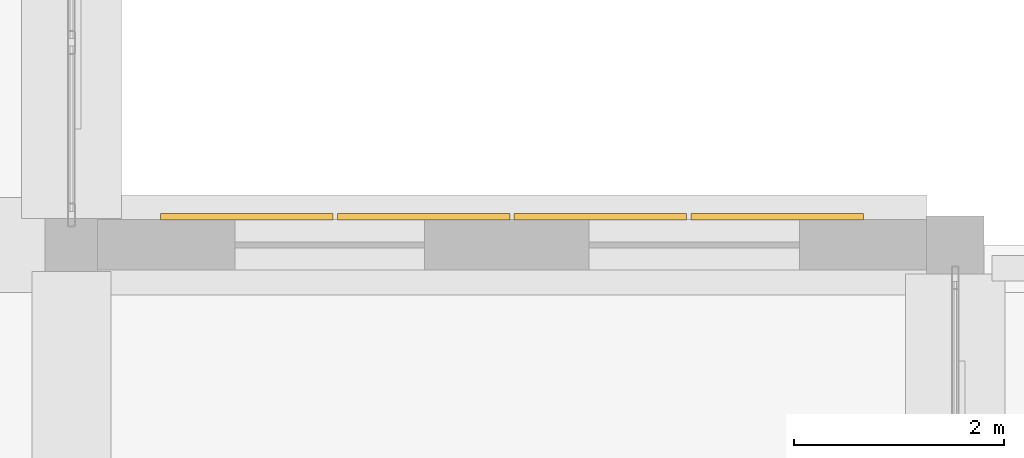
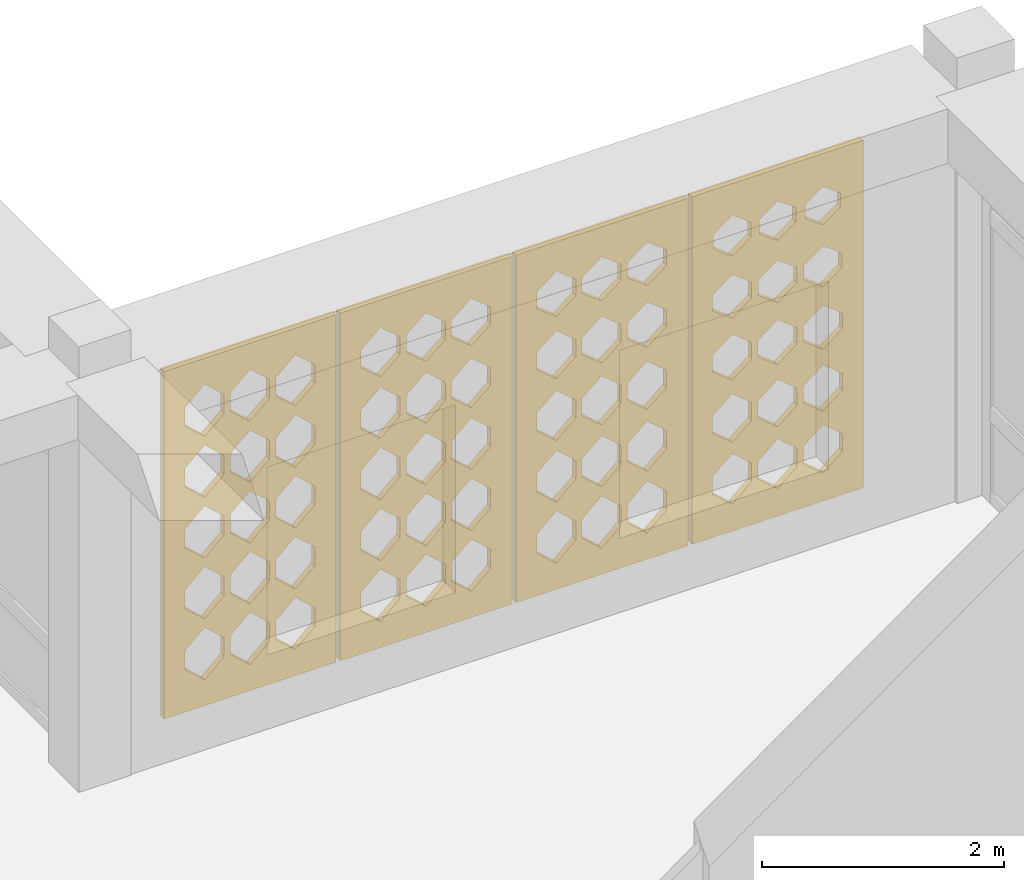
# One storey, part 110 of 111: 4 coverings.
"""IFC4 building model written with IfcOpenShell, lengths in metres."""

import ifcopenshell
import ifcopenshell.guid

model = None  # the IFC model being written
_history = None  # IfcOwnerHistory: only IFC2X3 demands one
_inside = {}  # id of a spatial element -> (the spatial element, [elements in it])
_under = {}  # id of a project, library or spatial element -> (it, [spatial elements below it])
_declared = {}  # id of a project -> (the project, [libraries it declares])
_typed = {}  # id of a type object -> (the type object, [elements of that type])
_made_of = {}  # id of a material, layer set ... -> (it, [elements and type objects made of it])


def new_model(schema):
    """Start an empty IFC model of exactly this schema.

    Asked for "IFC4X3", IfcOpenShell would pick the latest addendum, in which some entities
    have other attributes; the version numbers below select the first issue.
    IFC2X3 requires an IfcOwnerHistory on every rooted entity: one is made here for all.
    """
    global model, _history
    if schema == "IFC4X3":
        model = ifcopenshell.file(schema_version=(4, 3, 0, 0))
    else:
        model = ifcopenshell.file(schema=schema)
    _inside.clear()
    _under.clear()
    _declared.clear()
    _typed.clear()
    _made_of.clear()
    _history = None
    if model.schema == "IFC2X3":
        org = make("IfcOrganization", Name="unknown")
        user = make(
            "IfcPersonAndOrganization",
            ThePerson=make("IfcPerson", FamilyName="unknown"),
            TheOrganization=org,
        )
        app = make(
            "IfcApplication",
            ApplicationDeveloper=org,
            Version="unknown",
            ApplicationFullName="unknown",
            ApplicationIdentifier="unknown",
        )
        _history = make(
            "IfcOwnerHistory",
            OwningUser=user,
            OwningApplication=app,
            ChangeAction="ADDED",
            CreationDate=0,
        )
    return model


def make(cls, **values):
    """One entity of the class cls with the attributes given. An attribute that is None is left unset."""
    return model.create_entity(
        cls, **{name: value for name, value in values.items() if value is not None}
    )


def rooted(cls, **values):
    """An entity with a GlobalId (a new one), such as an element, a storey or a relation."""
    return make(cls, GlobalId=ifcopenshell.guid.new(), OwnerHistory=_history, **values)


def si_unit(unit_type, name, prefix=None):
    """IfcSIUnit, for example si_unit("LENGTHUNIT", "METRE", prefix="MILLI")."""
    return make("IfcSIUnit", UnitType=unit_type, Prefix=prefix, Name=name)


def derived_unit(unit_type, elements):
    """IfcDerivedUnit: a product of units, each with its exponent."""
    return make(
        "IfcDerivedUnit",
        Elements=[
            make("IfcDerivedUnitElement", Unit=unit, Exponent=power)
            for unit, power in elements
        ],
        UnitType=unit_type,
    )


def assignment(units):
    """IfcUnitAssignment: the units of a project."""
    return None if units is None else make("IfcUnitAssignment", Units=units)


def point(xyz):
    """IfcCartesianPoint."""
    return None if xyz is None else make("IfcCartesianPoint", Coordinates=xyz)


def direction(xyz):
    """IfcDirection."""
    return None if xyz is None else make("IfcDirection", DirectionRatios=xyz)


def frame(location, z_axis=None, x_axis=None):
    """IfcAxis2Placement3D, a coordinate frame: its origin and axes. An axis left out is left unset."""
    return make(
        "IfcAxis2Placement3D",
        Location=point(location),
        Axis=direction(z_axis),
        RefDirection=direction(x_axis),
    )


def origin():
    """The frame at (0, 0, 0) with its axes left unset."""
    return frame((0.0, 0.0, 0.0))


def place(relative_to, where):
    """IfcLocalPlacement: puts the frame where relative to a parent placement (None: the world)."""
    return make(
        "IfcLocalPlacement", PlacementRelTo=relative_to, RelativePlacement=where
    )


def context(
    kind, dimensions, precision=None, world=None, true_north=None, identifier=None
):
    """IfcGeometricRepresentationContext, for example the 3D "Model" context."""
    return make(
        "IfcGeometricRepresentationContext",
        ContextIdentifier=identifier,
        ContextType=kind,
        CoordinateSpaceDimension=dimensions,
        Precision=precision,
        WorldCoordinateSystem=world,
        TrueNorth=true_north,
    )


def subcontext(parent, identifier, kind, view, scale=None):
    """IfcGeometricRepresentationSubContext, for example "Body" below "Model"."""
    return make(
        "IfcGeometricRepresentationSubContext",
        ContextIdentifier=identifier,
        ContextType=kind,
        ParentContext=parent,
        TargetScale=scale,
        TargetView=view,
    )


def project(units=None, contexts=None):
    """IfcProject with its units and contexts."""
    return rooted(
        "IfcProject",
        Name="project",
        RepresentationContexts=contexts,
        UnitsInContext=assignment(units),
    )


def spatial(cls, under=None, at=None, **own):
    """A site, building, storey or space (cls), placed at a placement, below another one or the project."""
    s = rooted(cls, ObjectPlacement=at, **own)
    if under is not None:
        _under.setdefault(under.id(), (under, []))[1].append(s)
    return s


def polyline(points):
    """IfcPolyline through the points."""
    return make("IfcPolyline", Points=[point(p) for p in points])


def outline(outer, holes=None, kind="AREA"):
    """IfcArbitraryClosedProfileDef: a profile drawn as a closed curve; with holes, ...WithVoids."""
    if holes is None:
        return make("IfcArbitraryClosedProfileDef", ProfileType=kind, OuterCurve=outer)
    return make(
        "IfcArbitraryProfileDefWithVoids",
        ProfileType=kind,
        OuterCurve=outer,
        InnerCurves=holes,
    )


def extrude(swept, where, along, depth):
    """IfcExtrudedAreaSolid: the profile swept, set in the frame where, extruded along a direction by depth."""
    return make(
        "IfcExtrudedAreaSolid",
        SweptArea=swept,
        Position=where,
        ExtrudedDirection=direction(along),
        Depth=depth,
    )


def shape(context_of_items, identifier, shape_type, items):
    """IfcShapeRepresentation: the items that make up one representation, for example the "Body"."""
    return make(
        "IfcShapeRepresentation",
        ContextOfItems=context_of_items,
        RepresentationIdentifier=identifier,
        RepresentationType=shape_type,
        Items=items,
    )


def material(Name=None, Category=None):
    """IfcMaterial."""
    return make("IfcMaterial", Name=Name, Category=Category)


def layer(
    of_material, thickness, ventilated=None, Name=None, Category=None, Priority=None
):
    """IfcMaterialLayer: one layer of a wall or slab, of a material (None: an air gap)."""
    return make(
        "IfcMaterialLayer",
        Material=of_material,
        LayerThickness=thickness,
        IsVentilated=ventilated,
        Name=Name,
        Category=Category,
        Priority=Priority,
    )


def layer_set(layers, Name=None):
    """IfcMaterialLayerSet."""
    return make("IfcMaterialLayerSet", MaterialLayers=layers, LayerSetName=Name)


def made_of(thing, what):
    """Note that an element or type object is made of a material, layer set ...; save() writes the relation."""
    if what is not None:
        _made_of.setdefault(what.id(), (what, []))[1].append(thing)
    return thing


def type_object(cls, material=None, **own):
    """A type object (cls), such as IfcWallType, which elements share."""
    return made_of(rooted(cls, **own), material)


def element(
    cls,
    number,
    at=None,
    inside=None,
    cuts=None,
    type_object=None,
    material=None,
    context=None,
    identifier="Body",
    shape_type=None,
    held_by="IfcProductDefinitionShape",
    body=None,
    shapes=None,
    **own,
):
    """One element of the class cls, such as IfcWall. Its Tag is "e" and its number.

    at: its placement. inside: the storey or other place that contains it. cuts: it is an
    opening in that element (IfcRelVoidsElement). A single representation is given by context,
    identifier, shape_type and body (its items); several are given by shapes. held_by: the class
    of the entity that holds the representations. save() writes the other relations.
    """
    e = rooted(cls, Tag="e%d" % number, ObjectPlacement=at, **own)
    if body is not None:
        shapes = [shape(context, identifier, shape_type, body)]
    if shapes is not None:
        e.Representation = make(held_by, Representations=shapes)
    if inside is not None:
        _inside.setdefault(inside.id(), (inside, []))[1].append(e)
    if cuts is not None:
        rooted(
            "IfcRelVoidsElement", RelatingBuildingElement=cuts, RelatedOpeningElement=e
        )
    if type_object is not None:
        _typed.setdefault(type_object.id(), (type_object, []))[1].append(e)
    return made_of(e, material)


def aggregate(whole, parts):
    """IfcRelAggregates: a whole, such as a stair, and the parts it consists of."""
    return rooted("IfcRelAggregates", RelatingObject=whole, RelatedObjects=parts)


def save(model, path):
    """Write the relations noted so far, then the file.

    IfcRelAggregates (storeys below a building ...), IfcRelContainedInSpatialStructure (elements
    in a storey), IfcRelDefinesByType, IfcRelAssociatesMaterial and IfcRelDeclares: one each for
    every whole, place, type object, material and project.
    """
    for whole, parts in _under.values():
        aggregate(whole, parts)
    for where, things in _inside.values():
        rooted(
            "IfcRelContainedInSpatialStructure",
            RelatedElements=things,
            RelatingStructure=where,
        )
    for kind, things in _typed.values():
        rooted("IfcRelDefinesByType", RelatedObjects=things, RelatingType=kind)
    for what, things in _made_of.values():
        rooted("IfcRelAssociatesMaterial", RelatedObjects=things, RelatingMaterial=what)
    for by, libraries in _declared.values():
        rooted("IfcRelDeclares", RelatingContext=by, RelatedDefinitions=libraries)
    model.write(path)


model = new_model("IFC4")

# Units and contexts
model_context = context("Model", 3, precision=1e-05, world=origin(), true_north=direction((0.0, 1.0)))
body_context = subcontext(model_context, "Body", "Model", "MODEL_VIEW")
ifc_project = project(units=[si_unit("LENGTHUNIT", "METRE"), si_unit("AREAUNIT", "SQUARE_METRE"), si_unit("VOLUMEUNIT", "CUBIC_METRE"), si_unit("PLANEANGLEUNIT", "RADIAN"), si_unit("MASSUNIT", "GRAM", prefix="KILO"), derived_unit("THERMALTRANSMITTANCEUNIT", [(si_unit("POWERUNIT", "WATT"), 1), (si_unit("LENGTHUNIT", "METRE"), -2), (si_unit("THERMODYNAMICTEMPERATUREUNIT", "KELVIN"), -1)])], contexts=[model_context])

# Site, building, storey
site_placement = place(None, origin())
site = spatial("IfcSite", under=ifc_project, at=site_placement, CompositionType="ELEMENT")
building_placement = place(site_placement, origin())
building = spatial("IfcBuilding", under=site, at=building_placement, Name="Veybourne Emporium", CompositionType="ELEMENT")
storey_placement = place(building_placement, frame((0.0, 0.0, 9.89990234375)))
storey = spatial("IfcBuildingStorey", under=building, at=storey_placement, Name="L02", CompositionType="ELEMENT", Elevation=9.89990234375)

# Coverings
ifc_material = material(Name="Warm-White Perforated Aluminium Screen Alloy", Category="aluminium")
ifc_layer_1 = layer(ifc_material, 0.06005859375)
ifc_layer_set_1 = layer_set([ifc_layer_1], Name="Warm-White Perforated Aluminium Screen Alloy")
covering_type_1 = type_object("IfcCoveringType", Name="WaveScreen_SCR-01", PredefinedType="CLADDING", material=ifc_layer_set_1)
covering_1_placement = place(storey_placement, frame((146.1474609375, 21.89794921875, 1.815185546875), z_axis=(0.0, -1.0, 0.0), x_axis=(1.0, 0.0, 0.0)))
element("IfcCovering", 1, at=covering_1_placement, inside=storey, type_object=covering_type_1, Name="L02 wave-perforated aluminium screen SCR-01 (76.2)", PredefinedType="CLADDING", context=body_context, shape_type="SweptSolid", body=[
    extrude(outline(polyline([(-0.81982421875, -1.7548828125), (0.81982421875, -1.7548828125), (0.81982421875, 1.7548828125), (-0.81982421875, 1.7548828125), (-0.81982421875, -1.7548828125)]), holes=[polyline([(-0.433349609375, -0.964111328125), (-0.2470703125, -1.133056640625), (-0.2470703125, -1.322998046875), (-0.433349609375, -1.491943359375), (-0.61962890625, -1.322998046875), (-0.61962890625, -1.133056640625), (-0.433349609375, -0.964111328125)]), polyline([(-0.433349609375, -0.35009765625), (-0.2470703125, -0.51904296875), (-0.2470703125, -0.708984375), (-0.433349609375, -0.8779296875), (-0.61962890625, -0.708984375), (-0.61962890625, -0.51904296875), (-0.433349609375, -0.35009765625)]), polyline([(-0.433349609375, 0.263916015625), (-0.2470703125, 0.094970703125), (-0.2470703125, -0.094970703125), (-0.433349609375, -0.263916015625), (-0.61962890625, -0.094970703125), (-0.61962890625, 0.094970703125), (-0.433349609375, 0.263916015625)]), polyline([(-0.433349609375, 0.873291015625), (-0.2470703125, 0.707275390625), (-0.2470703125, 0.520751953125), (-0.433349609375, 0.354736328125), (-0.61962890625, 0.520751953125), (-0.61962890625, 0.707275390625), (-0.433349609375, 0.873291015625)]), polyline([(-0.433349609375, 1.477783203125), (-0.2470703125, 1.31787109375), (-0.2470703125, 1.13818359375), (-0.433349609375, 0.97802734375), (-0.61962890625, 1.13818359375), (-0.61962890625, 1.31787109375), (-0.433349609375, 1.477783203125)]), polyline([(0.0, -0.964111328125), (0.186279296875, -1.133056640625), (0.186279296875, -1.322998046875), (0.0, -1.491943359375), (-0.186279296875, -1.322998046875), (-0.186279296875, -1.133056640625), (0.0, -0.964111328125)]), polyline([(0.0, -0.35009765625), (0.186279296875, -0.51904296875), (0.186279296875, -0.708984375), (0.0, -0.8779296875), (-0.186279296875, -0.708984375), (-0.186279296875, -0.51904296875), (0.0, -0.35009765625)]), polyline([(0.0, 0.263427734375), (0.186279296875, 0.0947265625), (0.186279296875, -0.0947265625), (0.0, -0.263427734375), (-0.186279296875, -0.0947265625), (-0.186279296875, 0.0947265625), (0.0, 0.263427734375)]), polyline([(0.0, 0.869140625), (0.186279296875, 0.705810546875), (0.186279296875, 0.522216796875), (0.0, 0.35888671875), (-0.186279296875, 0.522216796875), (-0.186279296875, 0.705810546875), (0.0, 0.869140625)]), polyline([(0.0, 1.47314453125), (0.186279296875, 1.316162109375), (0.186279296875, 1.139892578125), (0.0, 0.98291015625), (-0.186279296875, 1.139892578125), (-0.186279296875, 1.316162109375), (0.0, 1.47314453125)]), polyline([(0.433349609375, -0.964111328125), (0.61962890625, -1.133056640625), (0.61962890625, -1.322998046875), (0.433349609375, -1.491943359375), (0.2470703125, -1.322998046875), (0.2470703125, -1.133056640625), (0.433349609375, -0.964111328125)]), polyline([(0.433349609375, -0.35009765625), (0.61962890625, -0.51904296875), (0.61962890625, -0.708984375), (0.433349609375, -0.8779296875), (0.2470703125, -0.708984375), (0.2470703125, -0.51904296875), (0.433349609375, -0.35009765625)]), polyline([(0.433349609375, 0.260009765625), (0.61962890625, 0.093505859375), (0.61962890625, -0.093505859375), (0.433349609375, -0.260009765625), (0.2470703125, -0.093505859375), (0.2470703125, 0.093505859375), (0.433349609375, 0.260009765625)]), polyline([(0.433349609375, 0.86474609375), (0.61962890625, 0.704345703125), (0.61962890625, 0.523681640625), (0.433349609375, 0.36328125), (0.2470703125, 0.523681640625), (0.2470703125, 0.704345703125), (0.433349609375, 0.86474609375)]), polyline([(0.433349609375, 1.468017578125), (0.61962890625, 1.314453125), (0.61962890625, 1.1416015625), (0.433349609375, 0.988037109375), (0.2470703125, 1.1416015625), (0.2470703125, 1.314453125), (0.433349609375, 1.468017578125)])]), origin(), (0.0, 0.0, 1.0), 0.06005859375),
])
ifc_layer_2 = layer(ifc_material, 0.06005859375)
ifc_layer_set_2 = layer_set([ifc_layer_2], Name="Warm-White Perforated Aluminium Screen Alloy")
covering_type_2 = type_object("IfcCoveringType", Name="WaveScreen_SCR-02", PredefinedType="CLADDING", material=ifc_layer_set_2)
covering_2_placement = place(storey_placement, frame((147.827392578125, 21.89794921875, 1.815185546875), z_axis=(0.0, -1.0, 0.0), x_axis=(1.0, 0.0, 0.0)))
element("IfcCovering", 2, at=covering_2_placement, inside=storey, type_object=covering_type_2, Name="L02 wave-perforated aluminium screen SCR-02 (76.3)", PredefinedType="CLADDING", context=body_context, shape_type="SweptSolid", body=[
    extrude(outline(polyline([(-0.81982421875, -1.7548828125), (0.81982421875, -1.7548828125), (0.81982421875, 1.7548828125), (-0.81982421875, 1.7548828125), (-0.81982421875, -1.7548828125)]), holes=[polyline([(-0.433349609375, -0.964111328125), (-0.2470703125, -1.133056640625), (-0.2470703125, -1.322998046875), (-0.433349609375, -1.491943359375), (-0.61962890625, -1.322998046875), (-0.61962890625, -1.133056640625), (-0.433349609375, -0.964111328125)]), polyline([(-0.433349609375, -0.352783203125), (-0.2470703125, -0.52001953125), (-0.2470703125, -0.7080078125), (-0.433349609375, -0.875), (-0.61962890625, -0.7080078125), (-0.61962890625, -0.52001953125), (-0.433349609375, -0.352783203125)]), polyline([(-0.433349609375, 0.252197265625), (-0.2470703125, 0.0908203125), (-0.2470703125, -0.0908203125), (-0.433349609375, -0.252197265625), (-0.61962890625, -0.0908203125), (-0.61962890625, 0.0908203125), (-0.433349609375, 0.252197265625)]), polyline([(-0.433349609375, 0.855712890625), (-0.2470703125, 0.700927734375), (-0.2470703125, 0.527099609375), (-0.433349609375, 0.372314453125), (-0.61962890625, 0.527099609375), (-0.61962890625, 0.700927734375), (-0.433349609375, 0.855712890625)]), polyline([(-0.433349609375, 1.45751953125), (-0.2470703125, 1.310791015625), (-0.2470703125, 1.145263671875), (-0.433349609375, 0.998291015625), (-0.61962890625, 1.145263671875), (-0.61962890625, 1.310791015625), (-0.433349609375, 1.45751953125)]), polyline([(0.0, -0.964111328125), (0.186279296875, -1.133056640625), (0.186279296875, -1.322998046875), (0.0, -1.491943359375), (-0.186279296875, -1.322998046875), (-0.186279296875, -1.133056640625), (0.0, -0.964111328125)]), polyline([(0.0, -0.356689453125), (0.186279296875, -0.521484375), (0.186279296875, -0.70654296875), (0.0, -0.871337890625), (-0.186279296875, -0.70654296875), (-0.186279296875, -0.521484375), (0.0, -0.356689453125)]), polyline([(0.0, 0.24755859375), (0.186279296875, 0.089111328125), (0.186279296875, -0.089111328125), (0.0, -0.24755859375), (-0.186279296875, -0.089111328125), (-0.186279296875, 0.089111328125), (0.0, 0.24755859375)]), polyline([(0.0, 0.850341796875), (0.186279296875, 0.69921875), (0.186279296875, 0.52880859375), (0.0, 0.377685546875), (-0.186279296875, 0.52880859375), (-0.186279296875, 0.69921875), (0.0, 0.850341796875)]), polyline([(0.0, 1.45166015625), (0.186279296875, 1.30859375), (0.186279296875, 1.1474609375), (0.0, 1.00439453125), (-0.186279296875, 1.1474609375), (-0.186279296875, 1.30859375), (0.0, 1.45166015625)]), polyline([(0.433349609375, -0.96630859375), (0.61962890625, -1.1337890625), (0.61962890625, -1.322265625), (0.433349609375, -1.48974609375), (0.2470703125, -1.322265625), (0.2470703125, -1.1337890625), (0.433349609375, -0.96630859375)]), polyline([(0.433349609375, -0.36083984375), (0.61962890625, -0.52294921875), (0.61962890625, -0.705078125), (0.433349609375, -0.8671875), (0.2470703125, -0.705078125), (0.2470703125, -0.52294921875), (0.433349609375, -0.36083984375)]), polyline([(0.433349609375, 0.24267578125), (0.61962890625, 0.08740234375), (0.61962890625, -0.08740234375), (0.433349609375, -0.24267578125), (0.2470703125, -0.08740234375), (0.2470703125, 0.08740234375), (0.433349609375, 0.24267578125)]), polyline([(0.433349609375, 0.8447265625), (0.61962890625, 0.697021484375), (0.61962890625, 0.531005859375), (0.433349609375, 0.38330078125), (0.2470703125, 0.531005859375), (0.2470703125, 0.697021484375), (0.433349609375, 0.8447265625)]), polyline([(0.433349609375, 1.44580078125), (0.61962890625, 1.306396484375), (0.61962890625, 1.149658203125), (0.433349609375, 1.01025390625), (0.2470703125, 1.149658203125), (0.2470703125, 1.306396484375), (0.433349609375, 1.44580078125)])]), origin(), (0.0, 0.0, 1.0), 0.06005859375),
])
ifc_layer_3 = layer(ifc_material, 0.06005859375)
ifc_layer_set_3 = layer_set([ifc_layer_3], Name="Warm-White Perforated Aluminium Screen Alloy")
covering_type_3 = type_object("IfcCoveringType", Name="WaveScreen_SCR-03", PredefinedType="CLADDING", material=ifc_layer_set_3)
covering_3_placement = place(storey_placement, frame((149.507568359375, 21.89794921875, 1.815185546875), z_axis=(0.0, -1.0, 0.0), x_axis=(1.0, 0.0, 0.0)))
element("IfcCovering", 3, at=covering_3_placement, inside=storey, type_object=covering_type_3, Name="L02 wave-perforated aluminium screen SCR-03 (76.4)", PredefinedType="CLADDING", context=body_context, shape_type="SweptSolid", body=[
    extrude(outline(polyline([(-0.81982421875, -1.7548828125), (0.81982421875, -1.7548828125), (0.81982421875, 1.7548828125), (-0.81982421875, 1.7548828125), (-0.81982421875, -1.7548828125)]), holes=[polyline([(-0.433349609375, -0.973388671875), (-0.2470703125, -1.136474609375), (-0.2470703125, -1.319580078125), (-0.433349609375, -1.482666015625), (-0.61962890625, -1.319580078125), (-0.61962890625, -1.136474609375), (-0.433349609375, -0.973388671875)]), polyline([(-0.433349609375, -0.36962890625), (-0.2470703125, -0.52587890625), (-0.2470703125, -0.701904296875), (-0.433349609375, -0.8583984375), (-0.61962890625, -0.701904296875), (-0.61962890625, -0.52587890625), (-0.433349609375, -0.36962890625)]), polyline([(-0.433349609375, 0.232666015625), (-0.2470703125, 0.083740234375), (-0.2470703125, -0.083740234375), (-0.433349609375, -0.232666015625), (-0.61962890625, -0.083740234375), (-0.61962890625, 0.083740234375), (-0.433349609375, 0.232666015625)]), polyline([(-0.433349609375, 0.833740234375), (-0.2470703125, 0.693115234375), (-0.2470703125, 0.534912109375), (-0.433349609375, 0.394287109375), (-0.61962890625, 0.534912109375), (-0.61962890625, 0.693115234375), (-0.433349609375, 0.833740234375)]), polyline([(-0.433349609375, 1.43408203125), (-0.2548828125, 1.302001953125), (-0.2548828125, 1.15380859375), (-0.433349609375, 1.02197265625), (-0.61181640625, 1.15380859375), (-0.61181640625, 1.302001953125), (-0.433349609375, 1.43408203125)]), polyline([(0.0, -0.977783203125), (0.186279296875, -1.137939453125), (0.186279296875, -1.318115234375), (0.0, -1.47802734375), (-0.186279296875, -1.318115234375), (-0.186279296875, -1.137939453125), (0.0, -0.977783203125)]), polyline([(0.0, -0.374755859375), (0.186279296875, -0.52783203125), (0.186279296875, -0.7001953125), (0.0, -0.853271484375), (-0.186279296875, -0.7001953125), (-0.186279296875, -0.52783203125), (0.0, -0.374755859375)]), polyline([(0.0, 0.226806640625), (0.186279296875, 0.081787109375), (0.186279296875, -0.081787109375), (0.0, -0.226806640625), (-0.186279296875, -0.081787109375), (-0.186279296875, 0.081787109375), (0.0, 0.226806640625)]), polyline([(0.0, 0.827392578125), (0.184814453125, 0.69091796875), (0.184814453125, 0.537109375), (0.0, 0.400390625), (-0.184814453125, 0.537109375), (-0.184814453125, 0.69091796875), (0.0, 0.827392578125)]), polyline([(0.0, 1.427490234375), (0.17333984375, 1.2998046875), (0.17333984375, 1.15625), (0.0, 1.0283203125), (-0.17333984375, 1.15625), (-0.17333984375, 1.2998046875), (0.0, 1.427490234375)]), polyline([(0.433349609375, -0.982666015625), (0.61962890625, -1.1396484375), (0.61962890625, -1.31640625), (0.433349609375, -1.473388671875), (0.2470703125, -1.31640625), (0.2470703125, -1.1396484375), (0.433349609375, -0.982666015625)]), polyline([(0.433349609375, -0.380126953125), (0.61962890625, -0.52978515625), (0.61962890625, -0.6982421875), (0.433349609375, -0.847900390625), (0.2470703125, -0.6982421875), (0.2470703125, -0.52978515625), (0.433349609375, -0.380126953125)]), polyline([(0.433349609375, 0.220947265625), (0.61962890625, 0.07958984375), (0.61962890625, -0.07958984375), (0.433349609375, -0.220947265625), (0.2470703125, -0.07958984375), (0.2470703125, 0.07958984375), (0.433349609375, 0.220947265625)]), polyline([(0.433349609375, 0.8212890625), (0.61279296875, 0.688720703125), (0.61279296875, 0.539306640625), (0.433349609375, 0.40673828125), (0.25390625, 0.539306640625), (0.25390625, 0.688720703125), (0.433349609375, 0.8212890625)]), polyline([(0.433349609375, 1.421142578125), (0.601318359375, 1.297607421875), (0.601318359375, 1.158447265625), (0.433349609375, 1.034912109375), (0.265380859375, 1.158447265625), (0.265380859375, 1.297607421875), (0.433349609375, 1.421142578125)])]), origin(), (0.0, 0.0, 1.0), 0.06005859375),
])
ifc_layer_4 = layer(ifc_material, 0.06005859375)
ifc_layer_set_4 = layer_set([ifc_layer_4], Name="Warm-White Perforated Aluminium Screen Alloy")
covering_type_4 = type_object("IfcCoveringType", Name="WaveScreen_SCR-04", PredefinedType="CLADDING", material=ifc_layer_set_4)
covering_4_placement = place(storey_placement, frame((144.467529296875, 21.89794921875, 1.815185546875), z_axis=(0.0, -1.0, 0.0), x_axis=(1.0, 0.0, 0.0)))
element("IfcCovering", 4, at=covering_4_placement, inside=storey, type_object=covering_type_4, Name="L02 wave-perforated aluminium screen SCR-04 (76.1)", PredefinedType="CLADDING", context=body_context, shape_type="SweptSolid", body=[
    extrude(outline(polyline([(-0.81982421875, -1.7548828125), (0.81982421875, -1.7548828125), (0.81982421875, 1.7548828125), (-0.81982421875, 1.7548828125), (-0.81982421875, -1.7548828125)]), holes=[polyline([(-0.433349609375, -0.964111328125), (-0.2470703125, -1.133056640625), (-0.2470703125, -1.322998046875), (-0.433349609375, -1.491943359375), (-0.61962890625, -1.322998046875), (-0.61962890625, -1.133056640625), (-0.433349609375, -0.964111328125)]), polyline([(-0.433349609375, -0.35009765625), (-0.2470703125, -0.51904296875), (-0.2470703125, -0.708984375), (-0.433349609375, -0.8779296875), (-0.61962890625, -0.708984375), (-0.61962890625, -0.51904296875), (-0.433349609375, -0.35009765625)]), polyline([(-0.433349609375, 0.263916015625), (-0.2470703125, 0.094970703125), (-0.2470703125, -0.094970703125), (-0.433349609375, -0.263916015625), (-0.61962890625, -0.094970703125), (-0.61962890625, 0.094970703125), (-0.433349609375, 0.263916015625)]), polyline([(-0.433349609375, 0.8779296875), (-0.2470703125, 0.708984375), (-0.2470703125, 0.51904296875), (-0.433349609375, 0.35009765625), (-0.61962890625, 0.51904296875), (-0.61962890625, 0.708984375), (-0.433349609375, 0.8779296875)]), polyline([(-0.433349609375, 1.491943359375), (-0.2470703125, 1.322998046875), (-0.2470703125, 1.133056640625), (-0.433349609375, 0.964111328125), (-0.61962890625, 1.133056640625), (-0.61962890625, 1.322998046875), (-0.433349609375, 1.491943359375)]), polyline([(0.0, -0.964111328125), (0.186279296875, -1.133056640625), (0.186279296875, -1.322998046875), (0.0, -1.491943359375), (-0.186279296875, -1.322998046875), (-0.186279296875, -1.133056640625), (0.0, -0.964111328125)]), polyline([(0.0, -0.35009765625), (0.186279296875, -0.51904296875), (0.186279296875, -0.708984375), (0.0, -0.8779296875), (-0.186279296875, -0.708984375), (-0.186279296875, -0.51904296875), (0.0, -0.35009765625)]), polyline([(0.0, 0.263916015625), (0.186279296875, 0.094970703125), (0.186279296875, -0.094970703125), (0.0, -0.263916015625), (-0.186279296875, -0.094970703125), (-0.186279296875, 0.094970703125), (0.0, 0.263916015625)]), polyline([(0.0, 0.8779296875), (0.186279296875, 0.708984375), (0.186279296875, 0.51904296875), (0.0, 0.35009765625), (-0.186279296875, 0.51904296875), (-0.186279296875, 0.708984375), (0.0, 0.8779296875)]), polyline([(0.0, 1.489501953125), (0.186279296875, 1.322265625), (0.186279296875, 1.1337890625), (0.0, 0.96630859375), (-0.186279296875, 1.1337890625), (-0.186279296875, 1.322265625), (0.0, 1.489501953125)]), polyline([(0.433349609375, -0.964111328125), (0.61962890625, -1.133056640625), (0.61962890625, -1.322998046875), (0.433349609375, -1.491943359375), (0.2470703125, -1.322998046875), (0.2470703125, -1.133056640625), (0.433349609375, -0.964111328125)]), polyline([(0.433349609375, -0.35009765625), (0.61962890625, -0.51904296875), (0.61962890625, -0.708984375), (0.433349609375, -0.8779296875), (0.2470703125, -0.708984375), (0.2470703125, -0.51904296875), (0.433349609375, -0.35009765625)]), polyline([(0.433349609375, 0.263916015625), (0.61962890625, 0.094970703125), (0.61962890625, -0.094970703125), (0.433349609375, -0.263916015625), (0.2470703125, -0.094970703125), (0.2470703125, 0.094970703125), (0.433349609375, 0.263916015625)]), polyline([(0.433349609375, 0.8779296875), (0.61962890625, 0.708984375), (0.61962890625, 0.51904296875), (0.433349609375, 0.35009765625), (0.2470703125, 0.51904296875), (0.2470703125, 0.708984375), (0.433349609375, 0.8779296875)]), polyline([(0.433349609375, 1.48583984375), (0.61962890625, 1.32080078125), (0.61962890625, 1.13525390625), (0.433349609375, 0.97021484375), (0.2470703125, 1.13525390625), (0.2470703125, 1.32080078125), (0.433349609375, 1.48583984375)])]), origin(), (0.0, 0.0, 1.0), 0.06005859375),
])

save(model, "model.ifc")
